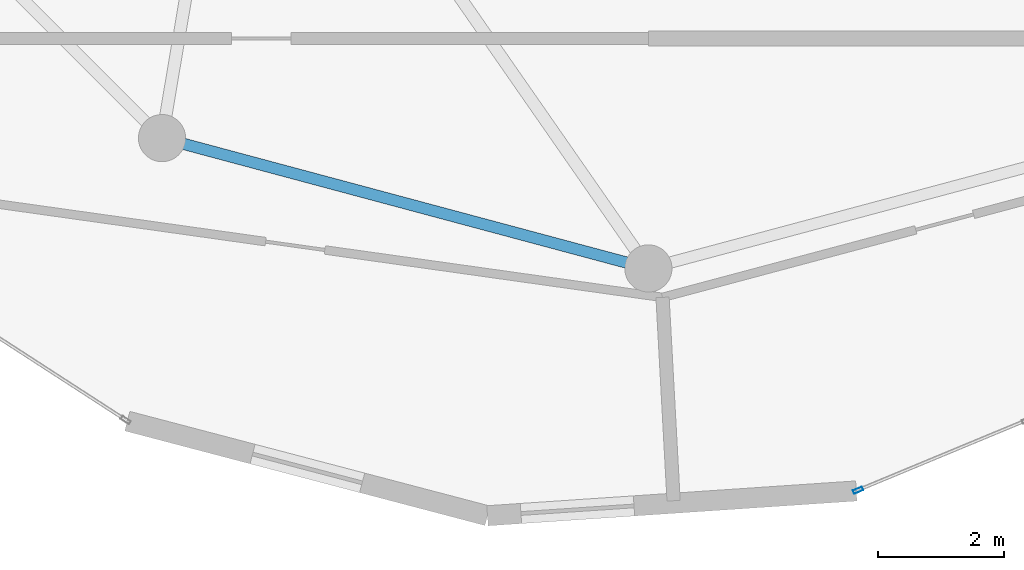
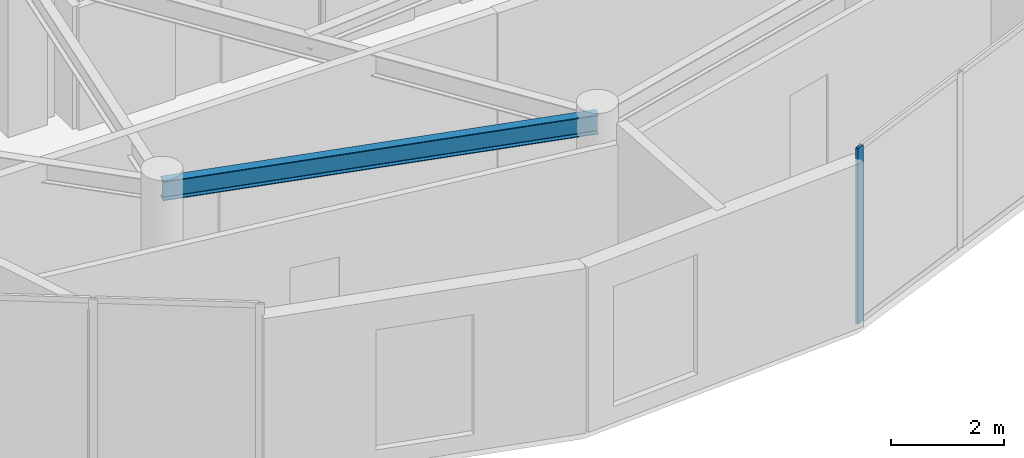
# One storey, part 5 of 22: 1 beam, 1 member, 1 element without a shape of its own.
"""IFC4 building model written with IfcOpenShell, lengths in metres."""

from ifc_helpers import new_model, si_unit, direction, frame, origin, origin_2d, place, context, subcontext, project, spatial, hollow_rectangle, i_section, extrude, source, transform, mapped, material, layer, layer_set, material_profile, profile_set, type_object, element, aggregate, save


model = new_model("IFC4")

# Units and contexts
model_context = context("Model", 3, precision=1e-05, world=origin(), true_north=direction((0.0, 1.0)))
body_context = subcontext(model_context, "Body", "Model", "MODEL_VIEW")
ifc_project = project(units=[si_unit("LENGTHUNIT", "METRE"), si_unit("AREAUNIT", "SQUARE_METRE"), si_unit("VOLUMEUNIT", "CUBIC_METRE"), si_unit("PLANEANGLEUNIT", "RADIAN"), si_unit("MASSUNIT", "GRAM", prefix="KILO")], contexts=[model_context])

# Site, building, storey
site_placement = place(None, origin())
site = spatial("IfcSite", under=ifc_project, at=site_placement, CompositionType="ELEMENT")
building_placement = place(site_placement, origin())
building = spatial("IfcBuilding", under=site, at=building_placement, Name="Solvirekh Grand Hotel", CompositionType="ELEMENT")
storey_placement = place(building_placement, frame((0.0, 0.0, 243.0)))
storey = spatial("IfcBuildingStorey", under=building, at=storey_placement, Name="L63", CompositionType="ELEMENT", Elevation=243.0)

# Beam
ifc_material_1 = material(Name="Steel S355", Category="steel")
ifc_material_profile_1 = material_profile(ifc_material_1, i_section(OverallWidth=0.180908203125, OverallDepth=0.4169921875, WebThickness=0.010009765625, FlangeThickness=0.01611328125, FilletRadius=0.011962890625, at=origin_2d()), Name="W410X85")
ifc_profile_set_1 = profile_set([ifc_material_profile_1], Name="Steel S355")
beam_type = type_object("IfcBeamType", Name="Spandrel_Ring_W410", PredefinedType="SPANDREL", material=ifc_profile_set_1)
beam_placement = place(storey_placement, frame((-7.72509765625, -13.3798828125, 3.362060546875), z_axis=(0.965921616143, -0.258834757072, 0.0), x_axis=(0.258834757072, 0.965921616143, 0.0)))
element("IfcBeam", 1, at=beam_placement, inside=storey, type_object=beam_type, Name="L63 perimeter spandrel beam 9", PredefinedType="SPANDREL", context=body_context, shape_type="SweptSolid", body=[
    extrude(i_section(OverallWidth=0.180908203125, OverallDepth=0.4169921875, WebThickness=0.010009765625, FlangeThickness=0.01611328125, FilletRadius=0.011962890625, at=origin_2d()), origin(), (0.0, 0.0, 1.0), 7.99755859375),
])

# Curtain wall, member
ifc_material_2 = material(Name="Anodized Bronze Aluminium 6063-T6", Category="aluminium")
ifc_layer = layer(ifc_material_2, 0.159912109375)
ifc_layer_set = layer_set([ifc_layer], Name="Anodized Bronze Aluminium 6063-T6")
curtain_wall_type = type_object("IfcCurtainWallType", Name="CW_Sys4_HighZoneFlushBronzeCW", PredefinedType="NOTDEFINED", material=ifc_layer_set)
curtain_wall_placement = place(storey_placement, origin())
curtain_wall = element("IfcCurtainWall", 2, at=curtain_wall_placement, inside=storey, type_object=curtain_wall_type, Name="L63 unitised bronze-glass curtain wall CW-L63-C01", PredefinedType="NOTDEFINED")
ifc_material_profile_2 = material_profile(ifc_material_2, hollow_rectangle(XDim=0.06005859375, YDim=0.159912109375, WallThickness=0.0048828125, at=origin_2d()), Name="ALU RHS 160X60X5")
ifc_profile_set_2 = profile_set([ifc_material_profile_2], Name="Anodized Bronze Aluminium 6063-T6")
member_type = type_object("IfcMemberType", Name="CWMullion_Sys4", PredefinedType="MULLION", material=ifc_profile_set_2)
shared_shape = source(origin(), body_context, "Body", "SweptSolid", [
    extrude(hollow_rectangle(XDim=0.06005859375, YDim=0.159912109375, WallThickness=0.0048828125, at=origin_2d()), origin(), (0.0, 0.0, 1.0), 3.800048828125),
])
member_placement = place(storey_placement, frame((3.330810546875, -18.973388671875, 0.0), z_axis=(0.0, 0.0, 1.0), x_axis=(-0.383514713871, 0.923534766126, 0.0)))
member = element("IfcMember", 3, at=member_placement, type_object=member_type, Name="U04 mullion 1", PredefinedType="MULLION", context=body_context, shape_type="MappedRepresentation", body=[
    mapped(shared_shape, transform((0.0, 0.0, 0.0), x_axis=(1.0, 0.0, 0.0), y_axis=(0.0, 1.0, 0.0), z_axis=(0.0, 0.0, 1.0), scale=1.0)),
])
aggregate(curtain_wall, [member])

save(model, "model.ifc")
